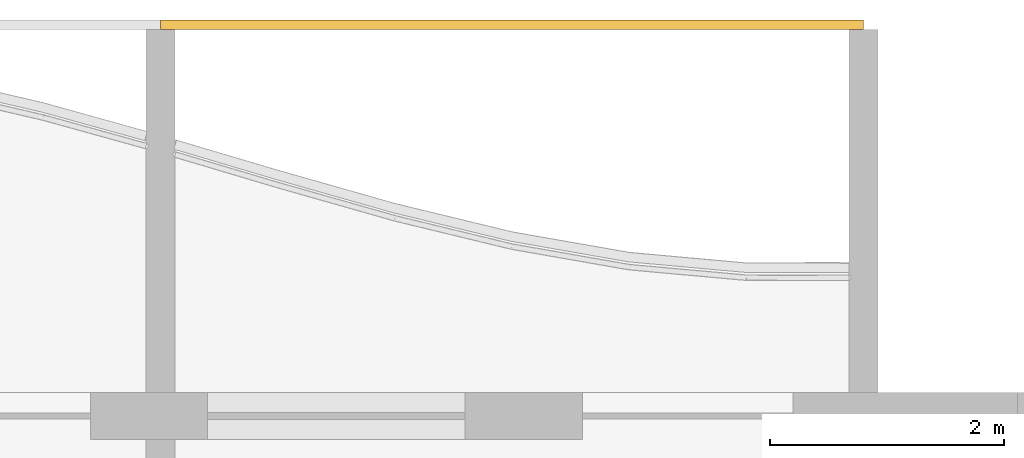
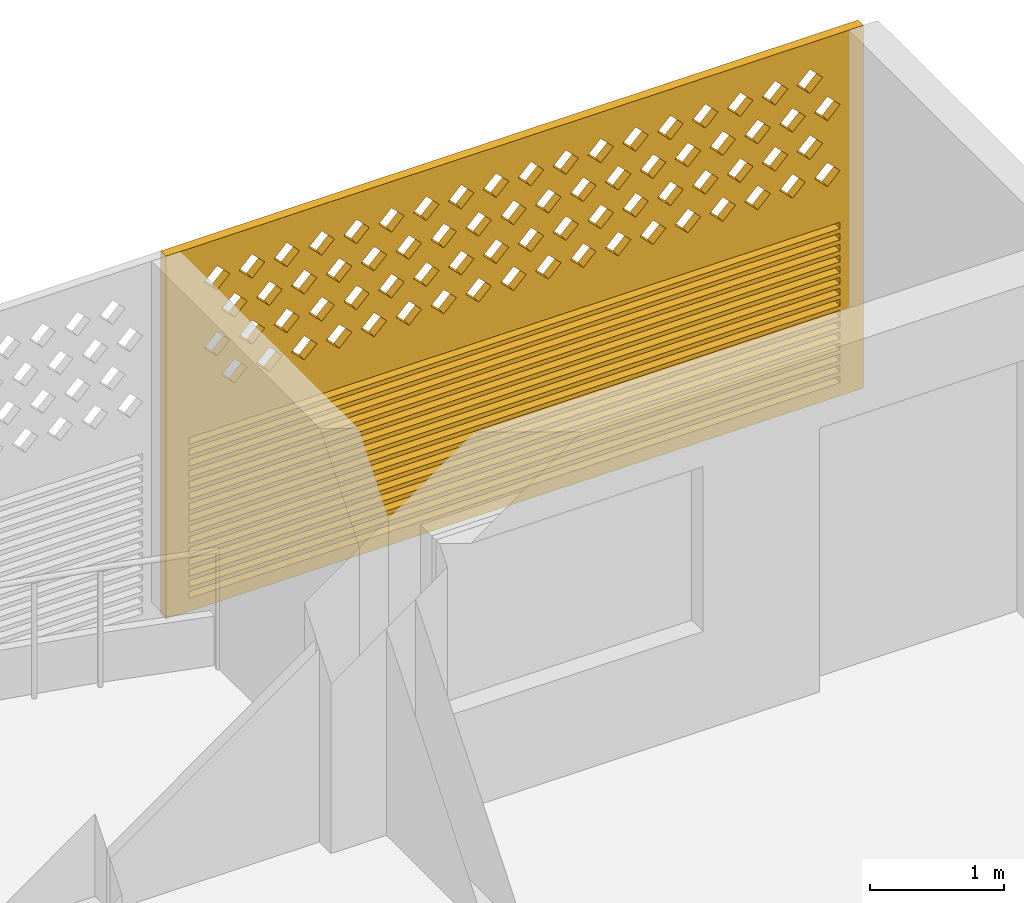
# One storey, part 27 of 27: 1 covering.
"""IFC4 building model written with IfcOpenShell, lengths in metres."""

from ifc_helpers import new_model, si_unit, direction, frame, origin, place, context, subcontext, project, spatial, polyline, outline, extrude, source, transform, mapped, material, material_profile, profile_set, type_object, element, save


model = new_model("IFC4")

# Units and contexts
model_context = context("Model", 3, precision=1e-05, world=origin(), true_north=direction((0.0, 1.0)))
body_context = subcontext(model_context, "Body", "Model", "MODEL_VIEW")
ifc_project = project(units=[si_unit("LENGTHUNIT", "METRE"), si_unit("AREAUNIT", "SQUARE_METRE"), si_unit("VOLUMEUNIT", "CUBIC_METRE"), si_unit("PLANEANGLEUNIT", "RADIAN"), si_unit("MASSUNIT", "GRAM", prefix="KILO")], contexts=[model_context])

# Site, building, storey
site_placement = place(None, origin())
site = spatial("IfcSite", under=ifc_project, at=site_placement, CompositionType="ELEMENT")
building_placement = place(site_placement, origin())
building = spatial("IfcBuilding", under=site, at=building_placement, Name="Poui Terraces", CompositionType="ELEMENT")
storey_placement = place(building_placement, frame((0.0, 0.0, 198.300048828125)))
storey = spatial("IfcBuildingStorey", under=building, at=storey_placement, Name="L55", CompositionType="ELEMENT", Elevation=198.300048828125)

# Covering
ifc_material = material(Name="Terracotta screen", Category="masonry")
ifc_material_profile = material_profile(ifc_material, outline(polyline([(-3.0, -1.64990234375), (3.0, -1.64990234375), (3.0, 1.64990234375), (-3.0, 1.64990234375), (-3.0, -1.64990234375)]), holes=[polyline([(-2.800048828125, 0.39990234375), (-2.68994140625, 0.2900390625), (-2.580078125, 0.39990234375), (-2.68994140625, 0.510009765625), (-2.800048828125, 0.39990234375)]), polyline([(-2.5, 0.39990234375), (-2.389892578125, 0.2900390625), (-2.280029296875, 0.39990234375), (-2.389892578125, 0.510009765625), (-2.5, 0.39990234375)]), polyline([(-2.199951171875, 0.39990234375), (-2.090087890625, 0.2900390625), (-1.97998046875, 0.39990234375), (-2.090087890625, 0.510009765625), (-2.199951171875, 0.39990234375)]), polyline([(-1.89990234375, 0.39990234375), (-1.7900390625, 0.2900390625), (-1.679931640625, 0.39990234375), (-1.7900390625, 0.510009765625), (-1.89990234375, 0.39990234375)]), polyline([(-1.60009765625, 0.39990234375), (-1.489990234375, 0.2900390625), (-1.3798828125, 0.39990234375), (-1.489990234375, 0.510009765625), (-1.60009765625, 0.39990234375)]), polyline([(-1.300048828125, 0.39990234375), (-1.18994140625, 0.2900390625), (-1.080078125, 0.39990234375), (-1.18994140625, 0.510009765625), (-1.300048828125, 0.39990234375)]), polyline([(-1.0, 0.39990234375), (-0.889892578125, 0.2900390625), (-0.780029296875, 0.39990234375), (-0.889892578125, 0.510009765625), (-1.0, 0.39990234375)]), polyline([(-0.699951171875, 0.39990234375), (-0.590087890625, 0.2900390625), (-0.47998046875, 0.39990234375), (-0.590087890625, 0.510009765625), (-0.699951171875, 0.39990234375)]), polyline([(-0.39990234375, 0.39990234375), (-0.2900390625, 0.2900390625), (-0.179931640625, 0.39990234375), (-0.2900390625, 0.510009765625), (-0.39990234375, 0.39990234375)]), polyline([(-0.10009765625, 0.39990234375), (0.010009765625, 0.2900390625), (0.1201171875, 0.39990234375), (0.010009765625, 0.510009765625), (-0.10009765625, 0.39990234375)]), polyline([(0.199951171875, 0.39990234375), (0.31005859375, 0.2900390625), (0.419921875, 0.39990234375), (0.31005859375, 0.510009765625), (0.199951171875, 0.39990234375)]), polyline([(0.5, 0.39990234375), (0.610107421875, 0.2900390625), (0.719970703125, 0.39990234375), (0.610107421875, 0.510009765625), (0.5, 0.39990234375)]), polyline([(0.800048828125, 0.39990234375), (0.909912109375, 0.2900390625), (1.02001953125, 0.39990234375), (0.909912109375, 0.510009765625), (0.800048828125, 0.39990234375)]), polyline([(1.10009765625, 0.39990234375), (1.2099609375, 0.2900390625), (1.320068359375, 0.39990234375), (1.2099609375, 0.510009765625), (1.10009765625, 0.39990234375)]), polyline([(1.39990234375, 0.39990234375), (1.510009765625, 0.2900390625), (1.6201171875, 0.39990234375), (1.510009765625, 0.510009765625), (1.39990234375, 0.39990234375)]), polyline([(1.699951171875, 0.39990234375), (1.81005859375, 0.2900390625), (1.919921875, 0.39990234375), (1.81005859375, 0.510009765625), (1.699951171875, 0.39990234375)]), polyline([(2.0, 0.39990234375), (2.110107421875, 0.2900390625), (2.219970703125, 0.39990234375), (2.110107421875, 0.510009765625), (2.0, 0.39990234375)]), polyline([(2.300048828125, 0.39990234375), (2.409912109375, 0.2900390625), (2.52001953125, 0.39990234375), (2.409912109375, 0.510009765625), (2.300048828125, 0.39990234375)]), polyline([(-2.64990234375, 0.699951171875), (-2.5400390625, 0.590087890625), (-2.429931640625, 0.699951171875), (-2.5400390625, 0.81005859375), (-2.64990234375, 0.699951171875)]), polyline([(-2.35009765625, 0.699951171875), (-2.239990234375, 0.590087890625), (-2.1298828125, 0.699951171875), (-2.239990234375, 0.81005859375), (-2.35009765625, 0.699951171875)]), polyline([(-2.050048828125, 0.699951171875), (-1.93994140625, 0.590087890625), (-1.830078125, 0.699951171875), (-1.93994140625, 0.81005859375), (-2.050048828125, 0.699951171875)]), polyline([(-1.75, 0.699951171875), (-1.639892578125, 0.590087890625), (-1.530029296875, 0.699951171875), (-1.639892578125, 0.81005859375), (-1.75, 0.699951171875)]), polyline([(-1.449951171875, 0.699951171875), (-1.340087890625, 0.590087890625), (-1.22998046875, 0.699951171875), (-1.340087890625, 0.81005859375), (-1.449951171875, 0.699951171875)]), polyline([(-1.14990234375, 0.699951171875), (-1.0400390625, 0.590087890625), (-0.929931640625, 0.699951171875), (-1.0400390625, 0.81005859375), (-1.14990234375, 0.699951171875)]), polyline([(-0.85009765625, 0.699951171875), (-0.739990234375, 0.590087890625), (-0.6298828125, 0.699951171875), (-0.739990234375, 0.81005859375), (-0.85009765625, 0.699951171875)]), polyline([(-0.550048828125, 0.699951171875), (-0.43994140625, 0.590087890625), (-0.330078125, 0.699951171875), (-0.43994140625, 0.81005859375), (-0.550048828125, 0.699951171875)]), polyline([(-0.25, 0.699951171875), (-0.139892578125, 0.590087890625), (-0.030029296875, 0.699951171875), (-0.139892578125, 0.81005859375), (-0.25, 0.699951171875)]), polyline([(0.050048828125, 0.699951171875), (0.159912109375, 0.590087890625), (0.27001953125, 0.699951171875), (0.159912109375, 0.81005859375), (0.050048828125, 0.699951171875)]), polyline([(0.35009765625, 0.699951171875), (0.4599609375, 0.590087890625), (0.570068359375, 0.699951171875), (0.4599609375, 0.81005859375), (0.35009765625, 0.699951171875)]), polyline([(0.64990234375, 0.699951171875), (0.760009765625, 0.590087890625), (0.8701171875, 0.699951171875), (0.760009765625, 0.81005859375), (0.64990234375, 0.699951171875)]), polyline([(0.949951171875, 0.699951171875), (1.06005859375, 0.590087890625), (1.169921875, 0.699951171875), (1.06005859375, 0.81005859375), (0.949951171875, 0.699951171875)]), polyline([(1.25, 0.699951171875), (1.360107421875, 0.590087890625), (1.469970703125, 0.699951171875), (1.360107421875, 0.81005859375), (1.25, 0.699951171875)]), polyline([(1.550048828125, 0.699951171875), (1.659912109375, 0.590087890625), (1.77001953125, 0.699951171875), (1.659912109375, 0.81005859375), (1.550048828125, 0.699951171875)]), polyline([(1.85009765625, 0.699951171875), (1.9599609375, 0.590087890625), (2.070068359375, 0.699951171875), (1.9599609375, 0.81005859375), (1.85009765625, 0.699951171875)]), polyline([(2.14990234375, 0.699951171875), (2.260009765625, 0.590087890625), (2.3701171875, 0.699951171875), (2.260009765625, 0.81005859375), (2.14990234375, 0.699951171875)]), polyline([(2.449951171875, 0.699951171875), (2.56005859375, 0.590087890625), (2.669921875, 0.699951171875), (2.56005859375, 0.81005859375), (2.449951171875, 0.699951171875)]), polyline([(-2.800048828125, 1.0), (-2.68994140625, 0.889892578125), (-2.580078125, 1.0), (-2.68994140625, 1.110107421875), (-2.800048828125, 1.0)]), polyline([(-2.5, 1.0), (-2.389892578125, 0.889892578125), (-2.280029296875, 1.0), (-2.389892578125, 1.110107421875), (-2.5, 1.0)]), polyline([(-2.199951171875, 1.0), (-2.090087890625, 0.889892578125), (-1.97998046875, 1.0), (-2.090087890625, 1.110107421875), (-2.199951171875, 1.0)]), polyline([(-1.89990234375, 1.0), (-1.7900390625, 0.889892578125), (-1.679931640625, 1.0), (-1.7900390625, 1.110107421875), (-1.89990234375, 1.0)]), polyline([(-1.60009765625, 1.0), (-1.489990234375, 0.889892578125), (-1.3798828125, 1.0), (-1.489990234375, 1.110107421875), (-1.60009765625, 1.0)]), polyline([(-1.300048828125, 1.0), (-1.18994140625, 0.889892578125), (-1.080078125, 1.0), (-1.18994140625, 1.110107421875), (-1.300048828125, 1.0)]), polyline([(-1.0, 1.0), (-0.889892578125, 0.889892578125), (-0.780029296875, 1.0), (-0.889892578125, 1.110107421875), (-1.0, 1.0)]), polyline([(-0.699951171875, 1.0), (-0.590087890625, 0.889892578125), (-0.47998046875, 1.0), (-0.590087890625, 1.110107421875), (-0.699951171875, 1.0)]), polyline([(-0.39990234375, 1.0), (-0.2900390625, 0.889892578125), (-0.179931640625, 1.0), (-0.2900390625, 1.110107421875), (-0.39990234375, 1.0)]), polyline([(-0.10009765625, 1.0), (0.010009765625, 0.889892578125), (0.1201171875, 1.0), (0.010009765625, 1.110107421875), (-0.10009765625, 1.0)]), polyline([(0.199951171875, 1.0), (0.31005859375, 0.889892578125), (0.419921875, 1.0), (0.31005859375, 1.110107421875), (0.199951171875, 1.0)]), polyline([(0.5, 1.0), (0.610107421875, 0.889892578125), (0.719970703125, 1.0), (0.610107421875, 1.110107421875), (0.5, 1.0)]), polyline([(0.800048828125, 1.0), (0.909912109375, 0.889892578125), (1.02001953125, 1.0), (0.909912109375, 1.110107421875), (0.800048828125, 1.0)]), polyline([(1.10009765625, 1.0), (1.2099609375, 0.889892578125), (1.320068359375, 1.0), (1.2099609375, 1.110107421875), (1.10009765625, 1.0)]), polyline([(1.39990234375, 1.0), (1.510009765625, 0.889892578125), (1.6201171875, 1.0), (1.510009765625, 1.110107421875), (1.39990234375, 1.0)]), polyline([(1.699951171875, 1.0), (1.81005859375, 0.889892578125), (1.919921875, 1.0), (1.81005859375, 1.110107421875), (1.699951171875, 1.0)]), polyline([(2.0, 1.0), (2.110107421875, 0.889892578125), (2.219970703125, 1.0), (2.110107421875, 1.110107421875), (2.0, 1.0)]), polyline([(2.300048828125, 1.0), (2.409912109375, 0.889892578125), (2.52001953125, 1.0), (2.409912109375, 1.110107421875), (2.300048828125, 1.0)]), polyline([(-2.64990234375, 1.300048828125), (-2.5400390625, 1.18994140625), (-2.429931640625, 1.300048828125), (-2.5400390625, 1.409912109375), (-2.64990234375, 1.300048828125)]), polyline([(-2.35009765625, 1.300048828125), (-2.239990234375, 1.18994140625), (-2.1298828125, 1.300048828125), (-2.239990234375, 1.409912109375), (-2.35009765625, 1.300048828125)]), polyline([(-2.050048828125, 1.300048828125), (-1.93994140625, 1.18994140625), (-1.830078125, 1.300048828125), (-1.93994140625, 1.409912109375), (-2.050048828125, 1.300048828125)]), polyline([(-1.75, 1.300048828125), (-1.639892578125, 1.18994140625), (-1.530029296875, 1.300048828125), (-1.639892578125, 1.409912109375), (-1.75, 1.300048828125)]), polyline([(-1.449951171875, 1.300048828125), (-1.340087890625, 1.18994140625), (-1.22998046875, 1.300048828125), (-1.340087890625, 1.409912109375), (-1.449951171875, 1.300048828125)]), polyline([(-1.14990234375, 1.300048828125), (-1.0400390625, 1.18994140625), (-0.929931640625, 1.300048828125), (-1.0400390625, 1.409912109375), (-1.14990234375, 1.300048828125)]), polyline([(-0.85009765625, 1.300048828125), (-0.739990234375, 1.18994140625), (-0.6298828125, 1.300048828125), (-0.739990234375, 1.409912109375), (-0.85009765625, 1.300048828125)]), polyline([(-0.550048828125, 1.300048828125), (-0.43994140625, 1.18994140625), (-0.330078125, 1.300048828125), (-0.43994140625, 1.409912109375), (-0.550048828125, 1.300048828125)]), polyline([(-0.25, 1.300048828125), (-0.139892578125, 1.18994140625), (-0.030029296875, 1.300048828125), (-0.139892578125, 1.409912109375), (-0.25, 1.300048828125)]), polyline([(0.050048828125, 1.300048828125), (0.159912109375, 1.18994140625), (0.27001953125, 1.300048828125), (0.159912109375, 1.409912109375), (0.050048828125, 1.300048828125)]), polyline([(0.35009765625, 1.300048828125), (0.4599609375, 1.18994140625), (0.570068359375, 1.300048828125), (0.4599609375, 1.409912109375), (0.35009765625, 1.300048828125)]), polyline([(0.64990234375, 1.300048828125), (0.760009765625, 1.18994140625), (0.8701171875, 1.300048828125), (0.760009765625, 1.409912109375), (0.64990234375, 1.300048828125)]), polyline([(0.949951171875, 1.300048828125), (1.06005859375, 1.18994140625), (1.169921875, 1.300048828125), (1.06005859375, 1.409912109375), (0.949951171875, 1.300048828125)]), polyline([(1.25, 1.300048828125), (1.360107421875, 1.18994140625), (1.469970703125, 1.300048828125), (1.360107421875, 1.409912109375), (1.25, 1.300048828125)]), polyline([(1.550048828125, 1.300048828125), (1.659912109375, 1.18994140625), (1.77001953125, 1.300048828125), (1.659912109375, 1.409912109375), (1.550048828125, 1.300048828125)]), polyline([(1.85009765625, 1.300048828125), (1.9599609375, 1.18994140625), (2.070068359375, 1.300048828125), (1.9599609375, 1.409912109375), (1.85009765625, 1.300048828125)]), polyline([(2.14990234375, 1.300048828125), (2.260009765625, 1.18994140625), (2.3701171875, 1.300048828125), (2.260009765625, 1.409912109375), (2.14990234375, 1.300048828125)]), polyline([(2.449951171875, 1.300048828125), (2.56005859375, 1.18994140625), (2.669921875, 1.300048828125), (2.56005859375, 1.409912109375), (2.449951171875, 1.300048828125)]), polyline([(-2.800048828125, -1.530029296875), (2.800048828125, -1.530029296875), (2.800048828125, -1.469970703125), (-2.800048828125, -1.469970703125), (-2.800048828125, -1.530029296875)]), polyline([(-2.800048828125, -1.429931640625), (2.800048828125, -1.429931640625), (2.800048828125, -1.3701171875), (-2.800048828125, -1.3701171875), (-2.800048828125, -1.429931640625)]), polyline([(-2.800048828125, -1.330078125), (2.800048828125, -1.330078125), (2.800048828125, -1.27001953125), (-2.800048828125, -1.27001953125), (-2.800048828125, -1.330078125)]), polyline([(-2.800048828125, -1.22998046875), (2.800048828125, -1.22998046875), (2.800048828125, -1.169921875), (-2.800048828125, -1.169921875), (-2.800048828125, -1.22998046875)]), polyline([(-2.800048828125, -1.1298828125), (2.800048828125, -1.1298828125), (2.800048828125, -1.070068359375), (-2.800048828125, -1.070068359375), (-2.800048828125, -1.1298828125)]), polyline([(-2.800048828125, -1.030029296875), (2.800048828125, -1.030029296875), (2.800048828125, -0.969970703125), (-2.800048828125, -0.969970703125), (-2.800048828125, -1.030029296875)]), polyline([(-2.800048828125, -0.929931640625), (2.800048828125, -0.929931640625), (2.800048828125, -0.8701171875), (-2.800048828125, -0.8701171875), (-2.800048828125, -0.929931640625)]), polyline([(-2.800048828125, -0.830078125), (2.800048828125, -0.830078125), (2.800048828125, -0.77001953125), (-2.800048828125, -0.77001953125), (-2.800048828125, -0.830078125)]), polyline([(-2.800048828125, -0.72998046875), (2.800048828125, -0.72998046875), (2.800048828125, -0.669921875), (-2.800048828125, -0.669921875), (-2.800048828125, -0.72998046875)]), polyline([(-2.800048828125, -0.6298828125), (2.800048828125, -0.6298828125), (2.800048828125, -0.570068359375), (-2.800048828125, -0.570068359375), (-2.800048828125, -0.6298828125)]), polyline([(-2.800048828125, -0.530029296875), (2.800048828125, -0.530029296875), (2.800048828125, -0.469970703125), (-2.800048828125, -0.469970703125), (-2.800048828125, -0.530029296875)]), polyline([(-2.800048828125, -0.429931640625), (2.800048828125, -0.429931640625), (2.800048828125, -0.3701171875), (-2.800048828125, -0.3701171875), (-2.800048828125, -0.429931640625)]), polyline([(-2.800048828125, -0.330078125), (2.800048828125, -0.330078125), (2.800048828125, -0.27001953125), (-2.800048828125, -0.27001953125), (-2.800048828125, -0.330078125)]), polyline([(-2.800048828125, -0.22998046875), (2.800048828125, -0.22998046875), (2.800048828125, -0.169921875), (-2.800048828125, -0.169921875), (-2.800048828125, -0.22998046875)]), polyline([(-2.800048828125, -0.1298828125), (2.800048828125, -0.1298828125), (2.800048828125, -0.070068359375), (-2.800048828125, -0.070068359375), (-2.800048828125, -0.1298828125)])]), Name="TERRACOTTA SCREEN AND JALOUSIE LOUVRE 6000X3300")
ifc_profile_set = profile_set([ifc_material_profile], Name="Terracotta screen")
covering_type = type_object("IfcCoveringType", Name="TERRACOTTA SCREEN AND JALOUSIE LOUVRE 6000X3300", PredefinedType="CLADDING", material=ifc_profile_set)
shared_shape = source(origin(), body_context, "Body", "SweptSolid", [
    extrude(outline(polyline([(-3.0, -1.64990234375), (3.0, -1.64990234375), (3.0, 1.64990234375), (-3.0, 1.64990234375), (-3.0, -1.64990234375)]), holes=[polyline([(-2.800048828125, 0.39990234375), (-2.68994140625, 0.2900390625), (-2.580078125, 0.39990234375), (-2.68994140625, 0.510009765625), (-2.800048828125, 0.39990234375)]), polyline([(-2.5, 0.39990234375), (-2.389892578125, 0.2900390625), (-2.280029296875, 0.39990234375), (-2.389892578125, 0.510009765625), (-2.5, 0.39990234375)]), polyline([(-2.199951171875, 0.39990234375), (-2.090087890625, 0.2900390625), (-1.97998046875, 0.39990234375), (-2.090087890625, 0.510009765625), (-2.199951171875, 0.39990234375)]), polyline([(-1.89990234375, 0.39990234375), (-1.7900390625, 0.2900390625), (-1.679931640625, 0.39990234375), (-1.7900390625, 0.510009765625), (-1.89990234375, 0.39990234375)]), polyline([(-1.60009765625, 0.39990234375), (-1.489990234375, 0.2900390625), (-1.3798828125, 0.39990234375), (-1.489990234375, 0.510009765625), (-1.60009765625, 0.39990234375)]), polyline([(-1.300048828125, 0.39990234375), (-1.18994140625, 0.2900390625), (-1.080078125, 0.39990234375), (-1.18994140625, 0.510009765625), (-1.300048828125, 0.39990234375)]), polyline([(-1.0, 0.39990234375), (-0.889892578125, 0.2900390625), (-0.780029296875, 0.39990234375), (-0.889892578125, 0.510009765625), (-1.0, 0.39990234375)]), polyline([(-0.699951171875, 0.39990234375), (-0.590087890625, 0.2900390625), (-0.47998046875, 0.39990234375), (-0.590087890625, 0.510009765625), (-0.699951171875, 0.39990234375)]), polyline([(-0.39990234375, 0.39990234375), (-0.2900390625, 0.2900390625), (-0.179931640625, 0.39990234375), (-0.2900390625, 0.510009765625), (-0.39990234375, 0.39990234375)]), polyline([(-0.10009765625, 0.39990234375), (0.010009765625, 0.2900390625), (0.1201171875, 0.39990234375), (0.010009765625, 0.510009765625), (-0.10009765625, 0.39990234375)]), polyline([(0.199951171875, 0.39990234375), (0.31005859375, 0.2900390625), (0.419921875, 0.39990234375), (0.31005859375, 0.510009765625), (0.199951171875, 0.39990234375)]), polyline([(0.5, 0.39990234375), (0.610107421875, 0.2900390625), (0.719970703125, 0.39990234375), (0.610107421875, 0.510009765625), (0.5, 0.39990234375)]), polyline([(0.800048828125, 0.39990234375), (0.909912109375, 0.2900390625), (1.02001953125, 0.39990234375), (0.909912109375, 0.510009765625), (0.800048828125, 0.39990234375)]), polyline([(1.10009765625, 0.39990234375), (1.2099609375, 0.2900390625), (1.320068359375, 0.39990234375), (1.2099609375, 0.510009765625), (1.10009765625, 0.39990234375)]), polyline([(1.39990234375, 0.39990234375), (1.510009765625, 0.2900390625), (1.6201171875, 0.39990234375), (1.510009765625, 0.510009765625), (1.39990234375, 0.39990234375)]), polyline([(1.699951171875, 0.39990234375), (1.81005859375, 0.2900390625), (1.919921875, 0.39990234375), (1.81005859375, 0.510009765625), (1.699951171875, 0.39990234375)]), polyline([(2.0, 0.39990234375), (2.110107421875, 0.2900390625), (2.219970703125, 0.39990234375), (2.110107421875, 0.510009765625), (2.0, 0.39990234375)]), polyline([(2.300048828125, 0.39990234375), (2.409912109375, 0.2900390625), (2.52001953125, 0.39990234375), (2.409912109375, 0.510009765625), (2.300048828125, 0.39990234375)]), polyline([(-2.64990234375, 0.699951171875), (-2.5400390625, 0.590087890625), (-2.429931640625, 0.699951171875), (-2.5400390625, 0.81005859375), (-2.64990234375, 0.699951171875)]), polyline([(-2.35009765625, 0.699951171875), (-2.239990234375, 0.590087890625), (-2.1298828125, 0.699951171875), (-2.239990234375, 0.81005859375), (-2.35009765625, 0.699951171875)]), polyline([(-2.050048828125, 0.699951171875), (-1.93994140625, 0.590087890625), (-1.830078125, 0.699951171875), (-1.93994140625, 0.81005859375), (-2.050048828125, 0.699951171875)]), polyline([(-1.75, 0.699951171875), (-1.639892578125, 0.590087890625), (-1.530029296875, 0.699951171875), (-1.639892578125, 0.81005859375), (-1.75, 0.699951171875)]), polyline([(-1.449951171875, 0.699951171875), (-1.340087890625, 0.590087890625), (-1.22998046875, 0.699951171875), (-1.340087890625, 0.81005859375), (-1.449951171875, 0.699951171875)]), polyline([(-1.14990234375, 0.699951171875), (-1.0400390625, 0.590087890625), (-0.929931640625, 0.699951171875), (-1.0400390625, 0.81005859375), (-1.14990234375, 0.699951171875)]), polyline([(-0.85009765625, 0.699951171875), (-0.739990234375, 0.590087890625), (-0.6298828125, 0.699951171875), (-0.739990234375, 0.81005859375), (-0.85009765625, 0.699951171875)]), polyline([(-0.550048828125, 0.699951171875), (-0.43994140625, 0.590087890625), (-0.330078125, 0.699951171875), (-0.43994140625, 0.81005859375), (-0.550048828125, 0.699951171875)]), polyline([(-0.25, 0.699951171875), (-0.139892578125, 0.590087890625), (-0.030029296875, 0.699951171875), (-0.139892578125, 0.81005859375), (-0.25, 0.699951171875)]), polyline([(0.050048828125, 0.699951171875), (0.159912109375, 0.590087890625), (0.27001953125, 0.699951171875), (0.159912109375, 0.81005859375), (0.050048828125, 0.699951171875)]), polyline([(0.35009765625, 0.699951171875), (0.4599609375, 0.590087890625), (0.570068359375, 0.699951171875), (0.4599609375, 0.81005859375), (0.35009765625, 0.699951171875)]), polyline([(0.64990234375, 0.699951171875), (0.760009765625, 0.590087890625), (0.8701171875, 0.699951171875), (0.760009765625, 0.81005859375), (0.64990234375, 0.699951171875)]), polyline([(0.949951171875, 0.699951171875), (1.06005859375, 0.590087890625), (1.169921875, 0.699951171875), (1.06005859375, 0.81005859375), (0.949951171875, 0.699951171875)]), polyline([(1.25, 0.699951171875), (1.360107421875, 0.590087890625), (1.469970703125, 0.699951171875), (1.360107421875, 0.81005859375), (1.25, 0.699951171875)]), polyline([(1.550048828125, 0.699951171875), (1.659912109375, 0.590087890625), (1.77001953125, 0.699951171875), (1.659912109375, 0.81005859375), (1.550048828125, 0.699951171875)]), polyline([(1.85009765625, 0.699951171875), (1.9599609375, 0.590087890625), (2.070068359375, 0.699951171875), (1.9599609375, 0.81005859375), (1.85009765625, 0.699951171875)]), polyline([(2.14990234375, 0.699951171875), (2.260009765625, 0.590087890625), (2.3701171875, 0.699951171875), (2.260009765625, 0.81005859375), (2.14990234375, 0.699951171875)]), polyline([(2.449951171875, 0.699951171875), (2.56005859375, 0.590087890625), (2.669921875, 0.699951171875), (2.56005859375, 0.81005859375), (2.449951171875, 0.699951171875)]), polyline([(-2.800048828125, 1.0), (-2.68994140625, 0.889892578125), (-2.580078125, 1.0), (-2.68994140625, 1.110107421875), (-2.800048828125, 1.0)]), polyline([(-2.5, 1.0), (-2.389892578125, 0.889892578125), (-2.280029296875, 1.0), (-2.389892578125, 1.110107421875), (-2.5, 1.0)]), polyline([(-2.199951171875, 1.0), (-2.090087890625, 0.889892578125), (-1.97998046875, 1.0), (-2.090087890625, 1.110107421875), (-2.199951171875, 1.0)]), polyline([(-1.89990234375, 1.0), (-1.7900390625, 0.889892578125), (-1.679931640625, 1.0), (-1.7900390625, 1.110107421875), (-1.89990234375, 1.0)]), polyline([(-1.60009765625, 1.0), (-1.489990234375, 0.889892578125), (-1.3798828125, 1.0), (-1.489990234375, 1.110107421875), (-1.60009765625, 1.0)]), polyline([(-1.300048828125, 1.0), (-1.18994140625, 0.889892578125), (-1.080078125, 1.0), (-1.18994140625, 1.110107421875), (-1.300048828125, 1.0)]), polyline([(-1.0, 1.0), (-0.889892578125, 0.889892578125), (-0.780029296875, 1.0), (-0.889892578125, 1.110107421875), (-1.0, 1.0)]), polyline([(-0.699951171875, 1.0), (-0.590087890625, 0.889892578125), (-0.47998046875, 1.0), (-0.590087890625, 1.110107421875), (-0.699951171875, 1.0)]), polyline([(-0.39990234375, 1.0), (-0.2900390625, 0.889892578125), (-0.179931640625, 1.0), (-0.2900390625, 1.110107421875), (-0.39990234375, 1.0)]), polyline([(-0.10009765625, 1.0), (0.010009765625, 0.889892578125), (0.1201171875, 1.0), (0.010009765625, 1.110107421875), (-0.10009765625, 1.0)]), polyline([(0.199951171875, 1.0), (0.31005859375, 0.889892578125), (0.419921875, 1.0), (0.31005859375, 1.110107421875), (0.199951171875, 1.0)]), polyline([(0.5, 1.0), (0.610107421875, 0.889892578125), (0.719970703125, 1.0), (0.610107421875, 1.110107421875), (0.5, 1.0)]), polyline([(0.800048828125, 1.0), (0.909912109375, 0.889892578125), (1.02001953125, 1.0), (0.909912109375, 1.110107421875), (0.800048828125, 1.0)]), polyline([(1.10009765625, 1.0), (1.2099609375, 0.889892578125), (1.320068359375, 1.0), (1.2099609375, 1.110107421875), (1.10009765625, 1.0)]), polyline([(1.39990234375, 1.0), (1.510009765625, 0.889892578125), (1.6201171875, 1.0), (1.510009765625, 1.110107421875), (1.39990234375, 1.0)]), polyline([(1.699951171875, 1.0), (1.81005859375, 0.889892578125), (1.919921875, 1.0), (1.81005859375, 1.110107421875), (1.699951171875, 1.0)]), polyline([(2.0, 1.0), (2.110107421875, 0.889892578125), (2.219970703125, 1.0), (2.110107421875, 1.110107421875), (2.0, 1.0)]), polyline([(2.300048828125, 1.0), (2.409912109375, 0.889892578125), (2.52001953125, 1.0), (2.409912109375, 1.110107421875), (2.300048828125, 1.0)]), polyline([(-2.64990234375, 1.300048828125), (-2.5400390625, 1.18994140625), (-2.429931640625, 1.300048828125), (-2.5400390625, 1.409912109375), (-2.64990234375, 1.300048828125)]), polyline([(-2.35009765625, 1.300048828125), (-2.239990234375, 1.18994140625), (-2.1298828125, 1.300048828125), (-2.239990234375, 1.409912109375), (-2.35009765625, 1.300048828125)]), polyline([(-2.050048828125, 1.300048828125), (-1.93994140625, 1.18994140625), (-1.830078125, 1.300048828125), (-1.93994140625, 1.409912109375), (-2.050048828125, 1.300048828125)]), polyline([(-1.75, 1.300048828125), (-1.639892578125, 1.18994140625), (-1.530029296875, 1.300048828125), (-1.639892578125, 1.409912109375), (-1.75, 1.300048828125)]), polyline([(-1.449951171875, 1.300048828125), (-1.340087890625, 1.18994140625), (-1.22998046875, 1.300048828125), (-1.340087890625, 1.409912109375), (-1.449951171875, 1.300048828125)]), polyline([(-1.14990234375, 1.300048828125), (-1.0400390625, 1.18994140625), (-0.929931640625, 1.300048828125), (-1.0400390625, 1.409912109375), (-1.14990234375, 1.300048828125)]), polyline([(-0.85009765625, 1.300048828125), (-0.739990234375, 1.18994140625), (-0.6298828125, 1.300048828125), (-0.739990234375, 1.409912109375), (-0.85009765625, 1.300048828125)]), polyline([(-0.550048828125, 1.300048828125), (-0.43994140625, 1.18994140625), (-0.330078125, 1.300048828125), (-0.43994140625, 1.409912109375), (-0.550048828125, 1.300048828125)]), polyline([(-0.25, 1.300048828125), (-0.139892578125, 1.18994140625), (-0.030029296875, 1.300048828125), (-0.139892578125, 1.409912109375), (-0.25, 1.300048828125)]), polyline([(0.050048828125, 1.300048828125), (0.159912109375, 1.18994140625), (0.27001953125, 1.300048828125), (0.159912109375, 1.409912109375), (0.050048828125, 1.300048828125)]), polyline([(0.35009765625, 1.300048828125), (0.4599609375, 1.18994140625), (0.570068359375, 1.300048828125), (0.4599609375, 1.409912109375), (0.35009765625, 1.300048828125)]), polyline([(0.64990234375, 1.300048828125), (0.760009765625, 1.18994140625), (0.8701171875, 1.300048828125), (0.760009765625, 1.409912109375), (0.64990234375, 1.300048828125)]), polyline([(0.949951171875, 1.300048828125), (1.06005859375, 1.18994140625), (1.169921875, 1.300048828125), (1.06005859375, 1.409912109375), (0.949951171875, 1.300048828125)]), polyline([(1.25, 1.300048828125), (1.360107421875, 1.18994140625), (1.469970703125, 1.300048828125), (1.360107421875, 1.409912109375), (1.25, 1.300048828125)]), polyline([(1.550048828125, 1.300048828125), (1.659912109375, 1.18994140625), (1.77001953125, 1.300048828125), (1.659912109375, 1.409912109375), (1.550048828125, 1.300048828125)]), polyline([(1.85009765625, 1.300048828125), (1.9599609375, 1.18994140625), (2.070068359375, 1.300048828125), (1.9599609375, 1.409912109375), (1.85009765625, 1.300048828125)]), polyline([(2.14990234375, 1.300048828125), (2.260009765625, 1.18994140625), (2.3701171875, 1.300048828125), (2.260009765625, 1.409912109375), (2.14990234375, 1.300048828125)]), polyline([(2.449951171875, 1.300048828125), (2.56005859375, 1.18994140625), (2.669921875, 1.300048828125), (2.56005859375, 1.409912109375), (2.449951171875, 1.300048828125)]), polyline([(-2.800048828125, -1.530029296875), (2.800048828125, -1.530029296875), (2.800048828125, -1.469970703125), (-2.800048828125, -1.469970703125), (-2.800048828125, -1.530029296875)]), polyline([(-2.800048828125, -1.429931640625), (2.800048828125, -1.429931640625), (2.800048828125, -1.3701171875), (-2.800048828125, -1.3701171875), (-2.800048828125, -1.429931640625)]), polyline([(-2.800048828125, -1.330078125), (2.800048828125, -1.330078125), (2.800048828125, -1.27001953125), (-2.800048828125, -1.27001953125), (-2.800048828125, -1.330078125)]), polyline([(-2.800048828125, -1.22998046875), (2.800048828125, -1.22998046875), (2.800048828125, -1.169921875), (-2.800048828125, -1.169921875), (-2.800048828125, -1.22998046875)]), polyline([(-2.800048828125, -1.1298828125), (2.800048828125, -1.1298828125), (2.800048828125, -1.070068359375), (-2.800048828125, -1.070068359375), (-2.800048828125, -1.1298828125)]), polyline([(-2.800048828125, -1.030029296875), (2.800048828125, -1.030029296875), (2.800048828125, -0.969970703125), (-2.800048828125, -0.969970703125), (-2.800048828125, -1.030029296875)]), polyline([(-2.800048828125, -0.929931640625), (2.800048828125, -0.929931640625), (2.800048828125, -0.8701171875), (-2.800048828125, -0.8701171875), (-2.800048828125, -0.929931640625)]), polyline([(-2.800048828125, -0.830078125), (2.800048828125, -0.830078125), (2.800048828125, -0.77001953125), (-2.800048828125, -0.77001953125), (-2.800048828125, -0.830078125)]), polyline([(-2.800048828125, -0.72998046875), (2.800048828125, -0.72998046875), (2.800048828125, -0.669921875), (-2.800048828125, -0.669921875), (-2.800048828125, -0.72998046875)]), polyline([(-2.800048828125, -0.6298828125), (2.800048828125, -0.6298828125), (2.800048828125, -0.570068359375), (-2.800048828125, -0.570068359375), (-2.800048828125, -0.6298828125)]), polyline([(-2.800048828125, -0.530029296875), (2.800048828125, -0.530029296875), (2.800048828125, -0.469970703125), (-2.800048828125, -0.469970703125), (-2.800048828125, -0.530029296875)]), polyline([(-2.800048828125, -0.429931640625), (2.800048828125, -0.429931640625), (2.800048828125, -0.3701171875), (-2.800048828125, -0.3701171875), (-2.800048828125, -0.429931640625)]), polyline([(-2.800048828125, -0.330078125), (2.800048828125, -0.330078125), (2.800048828125, -0.27001953125), (-2.800048828125, -0.27001953125), (-2.800048828125, -0.330078125)]), polyline([(-2.800048828125, -0.22998046875), (2.800048828125, -0.22998046875), (2.800048828125, -0.169921875), (-2.800048828125, -0.169921875), (-2.800048828125, -0.22998046875)]), polyline([(-2.800048828125, -0.1298828125), (2.800048828125, -0.1298828125), (2.800048828125, -0.070068359375), (-2.800048828125, -0.070068359375), (-2.800048828125, -0.1298828125)])]), origin(), (0.0, 0.0, 1.0), 0.080078125),
])
covering_placement = place(storey_placement, frame((75.0, 44.5, 1.449951171875), z_axis=(0.0, 1.0, 0.0), x_axis=(-1.0, 0.0, 0.0)))
element("IfcCovering", 1, at=covering_placement, inside=storey, type_object=covering_type, Name="SOLAR SCREEN AND JALOUSIE LOUVRE", PredefinedType="CLADDING", context=body_context, shape_type="MappedRepresentation", body=[
    mapped(shared_shape, transform((0.0, 0.0, 0.0))),
])

save(model, "model.ifc")
